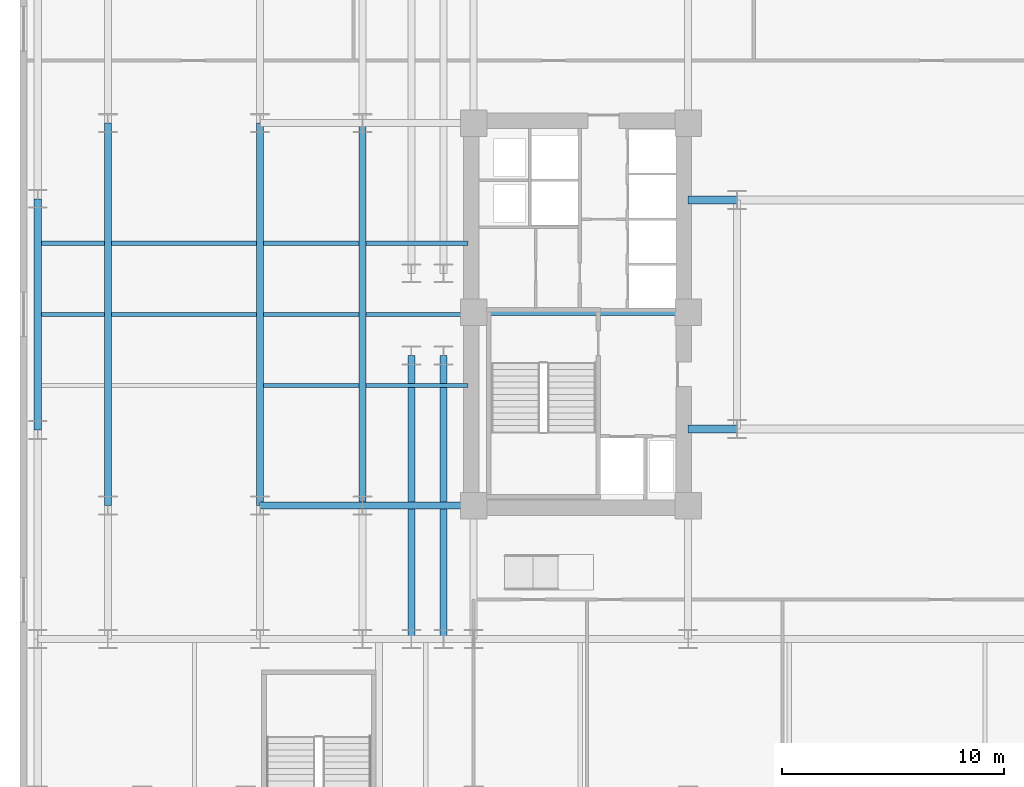
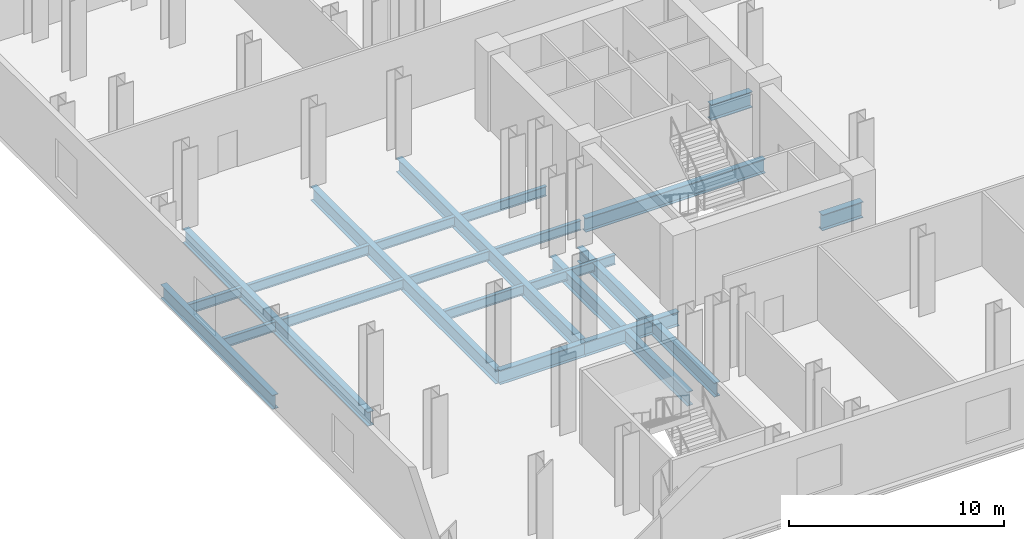
# One storey, part 2 of 13: 21 beams.
"""IFC4 building model written with IfcOpenShell, lengths in metres."""

import ifcopenshell
import ifcopenshell.guid

model = None  # the IFC model being written
_history = None  # IfcOwnerHistory: only IFC2X3 demands one
_inside = {}  # id of a spatial element -> (the spatial element, [elements in it])
_under = {}  # id of a project, library or spatial element -> (it, [spatial elements below it])
_declared = {}  # id of a project -> (the project, [libraries it declares])
_typed = {}  # id of a type object -> (the type object, [elements of that type])
_made_of = {}  # id of a material, layer set ... -> (it, [elements and type objects made of it])


def new_model(schema):
    """Start an empty IFC model of exactly this schema.

    Asked for "IFC4X3", IfcOpenShell would pick the latest addendum, in which some entities
    have other attributes; the version numbers below select the first issue.
    IFC2X3 requires an IfcOwnerHistory on every rooted entity: one is made here for all.
    """
    global model, _history
    if schema == "IFC4X3":
        model = ifcopenshell.file(schema_version=(4, 3, 0, 0))
    else:
        model = ifcopenshell.file(schema=schema)
    _inside.clear()
    _under.clear()
    _declared.clear()
    _typed.clear()
    _made_of.clear()
    _history = None
    if model.schema == "IFC2X3":
        org = make("IfcOrganization", Name="unknown")
        user = make(
            "IfcPersonAndOrganization",
            ThePerson=make("IfcPerson", FamilyName="unknown"),
            TheOrganization=org,
        )
        app = make(
            "IfcApplication",
            ApplicationDeveloper=org,
            Version="unknown",
            ApplicationFullName="unknown",
            ApplicationIdentifier="unknown",
        )
        _history = make(
            "IfcOwnerHistory",
            OwningUser=user,
            OwningApplication=app,
            ChangeAction="ADDED",
            CreationDate=0,
        )
    return model


def make(cls, **values):
    """One entity of the class cls with the attributes given. An attribute that is None is left unset."""
    return model.create_entity(
        cls, **{name: value for name, value in values.items() if value is not None}
    )


def rooted(cls, **values):
    """An entity with a GlobalId (a new one), such as an element, a storey or a relation."""
    return make(cls, GlobalId=ifcopenshell.guid.new(), OwnerHistory=_history, **values)


def si_unit(unit_type, name, prefix=None):
    """IfcSIUnit, for example si_unit("LENGTHUNIT", "METRE", prefix="MILLI")."""
    return make("IfcSIUnit", UnitType=unit_type, Prefix=prefix, Name=name)


def assignment(units):
    """IfcUnitAssignment: the units of a project."""
    return None if units is None else make("IfcUnitAssignment", Units=units)


def point(xyz):
    """IfcCartesianPoint."""
    return None if xyz is None else make("IfcCartesianPoint", Coordinates=xyz)


def direction(xyz):
    """IfcDirection."""
    return None if xyz is None else make("IfcDirection", DirectionRatios=xyz)


def frame(location, z_axis=None, x_axis=None):
    """IfcAxis2Placement3D, a coordinate frame: its origin and axes. An axis left out is left unset."""
    return make(
        "IfcAxis2Placement3D",
        Location=point(location),
        Axis=direction(z_axis),
        RefDirection=direction(x_axis),
    )


def frame_2d(location, x_axis=None):
    """IfcAxis2Placement2D, a coordinate frame in the plane: its origin and x axis."""
    return make(
        "IfcAxis2Placement2D", Location=point(location), RefDirection=direction(x_axis)
    )


def origin():
    """The frame at (0, 0, 0) with its axes left unset."""
    return frame((0.0, 0.0, 0.0))


def origin_2d():
    """The frame at (0, 0) in the plane with its x axis left unset."""
    return frame_2d((0.0, 0.0))


def place(relative_to, where):
    """IfcLocalPlacement: puts the frame where relative to a parent placement (None: the world)."""
    return make(
        "IfcLocalPlacement", PlacementRelTo=relative_to, RelativePlacement=where
    )


def context(
    kind, dimensions, precision=None, world=None, true_north=None, identifier=None
):
    """IfcGeometricRepresentationContext, for example the 3D "Model" context."""
    return make(
        "IfcGeometricRepresentationContext",
        ContextIdentifier=identifier,
        ContextType=kind,
        CoordinateSpaceDimension=dimensions,
        Precision=precision,
        WorldCoordinateSystem=world,
        TrueNorth=true_north,
    )


def subcontext(parent, identifier, kind, view, scale=None):
    """IfcGeometricRepresentationSubContext, for example "Body" below "Model"."""
    return make(
        "IfcGeometricRepresentationSubContext",
        ContextIdentifier=identifier,
        ContextType=kind,
        ParentContext=parent,
        TargetScale=scale,
        TargetView=view,
    )


def project(units=None, contexts=None):
    """IfcProject with its units and contexts."""
    return rooted(
        "IfcProject",
        Name="project",
        RepresentationContexts=contexts,
        UnitsInContext=assignment(units),
    )


def spatial(cls, under=None, at=None, **own):
    """A site, building, storey or space (cls), placed at a placement, below another one or the project."""
    s = rooted(cls, ObjectPlacement=at, **own)
    if under is not None:
        _under.setdefault(under.id(), (under, []))[1].append(s)
    return s


def profile(cls, at=None, kind="AREA", **sizes):
    """A parametric profile (cls). Its sizes go by their IFC names, for example OverallWidth=200.0."""
    return make(cls, ProfileType=kind, Position=at, **sizes)


def i_section(**sizes):
    """IfcIShapeProfileDef."""
    return profile("IfcIShapeProfileDef", **sizes)


def extrude(swept, where, along, depth):
    """IfcExtrudedAreaSolid: the profile swept, set in the frame where, extruded along a direction by depth."""
    return make(
        "IfcExtrudedAreaSolid",
        SweptArea=swept,
        Position=where,
        ExtrudedDirection=direction(along),
        Depth=depth,
    )


def shape(context_of_items, identifier, shape_type, items):
    """IfcShapeRepresentation: the items that make up one representation, for example the "Body"."""
    return make(
        "IfcShapeRepresentation",
        ContextOfItems=context_of_items,
        RepresentationIdentifier=identifier,
        RepresentationType=shape_type,
        Items=items,
    )


def material(Name=None, Category=None):
    """IfcMaterial."""
    return make("IfcMaterial", Name=Name, Category=Category)


def material_profile(
    of_material, cross_section, Name=None, Category=None, Priority=None
):
    """IfcMaterialProfile: a cross section and its material."""
    return make(
        "IfcMaterialProfile",
        Name=Name,
        Material=of_material,
        Profile=cross_section,
        Priority=Priority,
        Category=Category,
    )


def profile_set(profiles, Name=None, composite=None):
    """IfcMaterialProfileSet."""
    return make(
        "IfcMaterialProfileSet",
        Name=Name,
        MaterialProfiles=profiles,
        CompositeProfile=composite,
    )


def made_of(thing, what):
    """Note that an element or type object is made of a material, layer set ...; save() writes the relation."""
    if what is not None:
        _made_of.setdefault(what.id(), (what, []))[1].append(thing)
    return thing


def type_object(cls, material=None, **own):
    """A type object (cls), such as IfcWallType, which elements share."""
    return made_of(rooted(cls, **own), material)


def element(
    cls,
    number,
    at=None,
    inside=None,
    cuts=None,
    type_object=None,
    material=None,
    context=None,
    identifier="Body",
    shape_type=None,
    held_by="IfcProductDefinitionShape",
    body=None,
    shapes=None,
    **own,
):
    """One element of the class cls, such as IfcWall. Its Tag is "e" and its number.

    at: its placement. inside: the storey or other place that contains it. cuts: it is an
    opening in that element (IfcRelVoidsElement). A single representation is given by context,
    identifier, shape_type and body (its items); several are given by shapes. held_by: the class
    of the entity that holds the representations. save() writes the other relations.
    """
    e = rooted(cls, Tag="e%d" % number, ObjectPlacement=at, **own)
    if body is not None:
        shapes = [shape(context, identifier, shape_type, body)]
    if shapes is not None:
        e.Representation = make(held_by, Representations=shapes)
    if inside is not None:
        _inside.setdefault(inside.id(), (inside, []))[1].append(e)
    if cuts is not None:
        rooted(
            "IfcRelVoidsElement", RelatingBuildingElement=cuts, RelatedOpeningElement=e
        )
    if type_object is not None:
        _typed.setdefault(type_object.id(), (type_object, []))[1].append(e)
    return made_of(e, material)


def aggregate(whole, parts):
    """IfcRelAggregates: a whole, such as a stair, and the parts it consists of."""
    return rooted("IfcRelAggregates", RelatingObject=whole, RelatedObjects=parts)


def save(model, path):
    """Write the relations noted so far, then the file.

    IfcRelAggregates (storeys below a building ...), IfcRelContainedInSpatialStructure (elements
    in a storey), IfcRelDefinesByType, IfcRelAssociatesMaterial and IfcRelDeclares: one each for
    every whole, place, type object, material and project.
    """
    for whole, parts in _under.values():
        aggregate(whole, parts)
    for where, things in _inside.values():
        rooted(
            "IfcRelContainedInSpatialStructure",
            RelatedElements=things,
            RelatingStructure=where,
        )
    for kind, things in _typed.values():
        rooted("IfcRelDefinesByType", RelatedObjects=things, RelatingType=kind)
    for what, things in _made_of.values():
        rooted("IfcRelAssociatesMaterial", RelatedObjects=things, RelatingMaterial=what)
    for by, libraries in _declared.values():
        rooted("IfcRelDeclares", RelatingContext=by, RelatedDefinitions=libraries)
    model.write(path)


model = new_model("IFC4")

# Units and contexts
model_context = context("Model", 3, precision=1e-05, world=origin(), true_north=direction((0.0, 1.0)))
body_context = subcontext(model_context, "Body", "Model", "MODEL_VIEW")
ifc_project = project(units=[si_unit("LENGTHUNIT", "METRE"), si_unit("AREAUNIT", "SQUARE_METRE"), si_unit("VOLUMEUNIT", "CUBIC_METRE"), si_unit("PLANEANGLEUNIT", "RADIAN"), si_unit("MASSUNIT", "GRAM", prefix="KILO")], contexts=[model_context])

# Site, building, storey
site_placement = place(None, origin())
site = spatial("IfcSite", under=ifc_project, at=site_placement, CompositionType="ELEMENT")
building_placement = place(site_placement, origin())
building = spatial("IfcBuilding", under=site, at=building_placement, Name="Velakula Bourse", CompositionType="ELEMENT")
storey_placement = place(building_placement, frame((0.0, 0.0, 5.10009765625)))
storey = spatial("IfcBuildingStorey", under=building, at=storey_placement, Name="L01", CompositionType="ELEMENT", Elevation=5.10009765625)

# Beams
ifc_material = material(Name="Steel IS 2062 Grade 350 (E350)", Category="steel")
ifc_material_profile_1 = material_profile(ifc_material, i_section(OverallWidth=0.35009765625, OverallDepth=0.89990234375, WebThickness=0.02001953125, FlangeThickness=0.031982421875, at=origin_2d()), Name="Steel IS 2062 Grade 350 (E350)")
ifc_profile_set_1 = profile_set([ifc_material_profile_1], Name="Steel IS 2062 Grade 350 (E350)")
beam_type_1 = type_object("IfcBeamType", Name="BM-LNK-900", PredefinedType="BEAM", material=ifc_profile_set_1)
for number, where, z_axis, x_axis, name in (
    (1, (-8.949951171875, -5.14990234375, -0.7001953125), (1.0, 0.0, 0.0), (0.0, 1.0, 0.0), "L01 Primary Backbone Girder LNK-S1"),
    (2, (-8.949951171875, 5.14990234375, -0.7001953125), (1.0, 0.0, 0.0), (0.0, 1.0, 0.0), "L01 Primary Backbone Girder LNK-N1"),
):
    element("IfcBeam", number, at=place(storey_placement, frame(where, z_axis=z_axis, x_axis=x_axis)), inside=storey, type_object=beam_type_1, Name=name, PredefinedType="BEAM", context=body_context, shape_type="SweptSolid", body=[
        extrude(i_section(OverallWidth=0.35009765625, OverallDepth=0.89990234375, WebThickness=0.02001953125, FlangeThickness=0.031982421875, at=origin_2d()), origin(), (0.0, 0.0, 1.0), 2.199951171875),
    ])
ifc_material_profile_2 = material_profile(ifc_material, i_section(OverallWidth=0.320068359375, OverallDepth=0.800048828125, WebThickness=0.01806640625, FlangeThickness=0.028076171875, at=origin_2d()), Name="Steel IS 2062 Grade 350 (E350)")
ifc_profile_set_2 = profile_set([ifc_material_profile_2], Name="Steel IS 2062 Grade 350 (E350)")
beam_type_2 = type_object("IfcBeamType", Name="BM-POD-800", PredefinedType="BEAM", material=ifc_profile_set_2)
beam_1_placement = place(storey_placement, frame((-18.60009765625, 0.10009765625, -0.650146484375), z_axis=(1.0, 0.0, 0.0), x_axis=(0.0, 1.0, 0.0)))
element("IfcBeam", 3, at=beam_1_placement, inside=storey, type_object=beam_type_2, Name="L01 Primary Backbone Girder CRW-M", PredefinedType="BEAM", context=body_context, shape_type="SweptSolid", body=[
    extrude(i_section(OverallWidth=0.320068359375, OverallDepth=0.800048828125, WebThickness=0.01806640625, FlangeThickness=0.028076171875, at=origin_2d()), origin(), (0.0, 0.0, 1.0), 9.650146484375),
])
for number, where, z_axis, x_axis, name in (
    (4, (-21.39990234375, -14.60009765625, -0.650146484375), (0.0, 1.0, 0.0), (-1.0, 0.0, 0.0), "L01 Fulcrum Grid Girder FLC-PSW1"),
    (5, (-19.949951171875, -14.60009765625, -0.650146484375), (0.0, 1.0, 0.0), (-1.0, 0.0, 0.0), "L01 Fulcrum Grid Girder FLC-PSW2"),
):
    element("IfcBeam", number, at=place(storey_placement, frame(where, z_axis=z_axis, x_axis=x_axis)), inside=storey, type_object=beam_type_2, Name=name, PredefinedType="BEAM", context=body_context, shape_type="SweptSolid", body=[
        extrude(i_section(OverallWidth=0.320068359375, OverallDepth=0.800048828125, WebThickness=0.01806640625, FlangeThickness=0.028076171875, at=origin_2d()), origin(), (0.0, 0.0, 1.0), 12.75),
    ])
beam_2_placement = place(storey_placement, frame((-23.60009765625, -8.60009765625, -0.650146484375), z_axis=(1.0, 0.0, 0.0), x_axis=(0.0, 1.0, 0.0)))
element("IfcBeam", 6, at=beam_2_placement, inside=storey, type_object=beam_type_2, Name="L01 Fulcrum Grid Girder MWG-WS2", PredefinedType="BEAM", context=body_context, shape_type="SweptSolid", body=[
    extrude(i_section(OverallWidth=0.320068359375, OverallDepth=0.800048828125, WebThickness=0.01806640625, FlangeThickness=0.028076171875, at=origin_2d()), origin(), (0.0, 0.0, 1.0), 5.0),
])
beam_3_placement = place(storey_placement, frame((-23.60009765625, -8.60009765625, -0.650146484375), z_axis=(0.0, 1.0, 0.0), x_axis=(-1.0, 0.0, 0.0)))
element("IfcBeam", 7, at=beam_3_placement, inside=storey, type_object=beam_type_2, Name="L01 Fulcrum Grid Girder MWG-WNS2", PredefinedType="BEAM", context=body_context, shape_type="SweptSolid", body=[
    extrude(i_section(OverallWidth=0.320068359375, OverallDepth=0.800048828125, WebThickness=0.01806640625, FlangeThickness=0.028076171875, at=origin_2d()), origin(), (0.0, 0.0, 1.0), 17.2001953125),
])
beam_4_placement = place(storey_placement, frame((-28.199951171875, -8.60009765625, -0.650146484375), z_axis=(1.0, 0.0, 0.0), x_axis=(0.0, 1.0, 0.0)))
element("IfcBeam", 8, at=beam_4_placement, inside=storey, type_object=beam_type_2, Name="L01 Fulcrum Grid Girder WNG-WS2", PredefinedType="BEAM", context=body_context, shape_type="SweptSolid", body=[
    extrude(i_section(OverallWidth=0.320068359375, OverallDepth=0.800048828125, WebThickness=0.01806640625, FlangeThickness=0.028076171875, at=origin_2d()), origin(), (0.0, 0.0, 1.0), 4.599853515625),
])
beam_5_placement = place(storey_placement, frame((-28.199951171875, -8.60009765625, -0.650146484375), z_axis=(0.0, 1.0, 0.0), x_axis=(-1.0, 0.0, 0.0)))
element("IfcBeam", 9, at=beam_5_placement, inside=storey, type_object=beam_type_2, Name="L01 Fulcrum Grid Girder WNG-WNS2", PredefinedType="BEAM", context=body_context, shape_type="SweptSolid", body=[
    extrude(i_section(OverallWidth=0.320068359375, OverallDepth=0.800048828125, WebThickness=0.01806640625, FlangeThickness=0.028076171875, at=origin_2d()), origin(), (0.0, 0.0, 1.0), 17.2001953125),
])
beam_6_placement = place(storey_placement, frame((-38.199951171875, -5.199951171875, -0.650146484375), z_axis=(0.0, 1.0, 0.0), x_axis=(-1.0, 0.0, 0.0)))
element("IfcBeam", 10, at=beam_6_placement, inside=storey, type_object=beam_type_2, Name="L01 Podium N-S Girder 68", PredefinedType="BEAM", context=body_context, shape_type="SweptSolid", body=[
    extrude(i_section(OverallWidth=0.320068359375, OverallDepth=0.800048828125, WebThickness=0.01806640625, FlangeThickness=0.028076171875, at=origin_2d()), origin(), (0.0, 0.0, 1.0), 10.39990234375),
])
beam_7_placement = place(storey_placement, frame((-35.050048828125, -8.60009765625, -0.650146484375), z_axis=(0.0, 1.0, 0.0), x_axis=(-1.0, 0.0, 0.0)))
element("IfcBeam", 11, at=beam_7_placement, inside=storey, type_object=beam_type_2, Name="L01 Podium N-S Girder 73", PredefinedType="BEAM", context=body_context, shape_type="SweptSolid", body=[
    extrude(i_section(OverallWidth=0.320068359375, OverallDepth=0.800048828125, WebThickness=0.01806640625, FlangeThickness=0.028076171875, at=origin_2d()), origin(), (0.0, 0.0, 1.0), 17.2001953125),
])
ifc_material_profile_3 = material_profile(ifc_material, i_section(OverallWidth=0.18994140625, OverallDepth=0.550048828125, WebThickness=0.01123046875, FlangeThickness=0.019287109375, at=origin_2d()), Name="Steel IS 2062 Grade 350 (E350)")
ifc_profile_set_3 = profile_set([ifc_material_profile_3], Name="Steel IS 2062 Grade 350 (E350)")
beam_type_3 = type_object("IfcBeamType", Name="JST-POD-550", PredefinedType="JOIST", material=ifc_profile_set_3)
beam_8_placement = place(storey_placement, frame((-28.0400390625, -3.199951171875, -0.525146484375), z_axis=(1.0, 0.0, 0.0), x_axis=(0.0, 1.0, 0.0)))
element("IfcBeam", 12, at=beam_8_placement, inside=storey, type_object=beam_type_3, Name="L01 Station Wing Floor Joist 35", PredefinedType="JOIST", context=body_context, shape_type="SweptSolid", body=[
    extrude(i_section(OverallWidth=0.18994140625, OverallDepth=0.550048828125, WebThickness=0.01123046875, FlangeThickness=0.019287109375, at=origin_2d()), origin(), (0.0, 0.0, 1.0), 4.280029296875),
])
beam_9_placement = place(storey_placement, frame((-23.43994140625, -3.199951171875, -0.525146484375), z_axis=(1.0, 0.0, 0.0), x_axis=(0.0, 1.0, 0.0)))
element("IfcBeam", 13, at=beam_9_placement, inside=storey, type_object=beam_type_3, Name="L01 Station Wing Floor Joist 36", PredefinedType="JOIST", context=body_context, shape_type="SweptSolid", body=[
    extrude(i_section(OverallWidth=0.18994140625, OverallDepth=0.550048828125, WebThickness=0.01123046875, FlangeThickness=0.019287109375, at=origin_2d()), origin(), (0.0, 0.0, 1.0), 4.58984375),
])
beam_10_placement = place(storey_placement, frame((-38.0400390625, 0.0, -0.525146484375), z_axis=(1.0, 0.0, 0.0), x_axis=(0.0, 1.0, 0.0)))
element("IfcBeam", 14, at=beam_10_placement, inside=storey, type_object=beam_type_3, Name="L01 Station Wing Floor Joist 41", PredefinedType="JOIST", context=body_context, shape_type="SweptSolid", body=[
    extrude(i_section(OverallWidth=0.18994140625, OverallDepth=0.550048828125, WebThickness=0.01123046875, FlangeThickness=0.019287109375, at=origin_2d()), origin(), (0.0, 0.0, 1.0), 2.830078125),
])
beam_11_placement = place(storey_placement, frame((-34.889892578125, 0.0, -0.525146484375), z_axis=(1.0, 0.0, 0.0), x_axis=(0.0, 1.0, 0.0)))
element("IfcBeam", 15, at=beam_11_placement, inside=storey, type_object=beam_type_3, Name="L01 Station Wing Floor Joist 42", PredefinedType="JOIST", context=body_context, shape_type="SweptSolid", body=[
    extrude(i_section(OverallWidth=0.18994140625, OverallDepth=0.550048828125, WebThickness=0.01123046875, FlangeThickness=0.019287109375, at=origin_2d()), origin(), (0.0, 0.0, 1.0), 6.52978515625),
])
beam_12_placement = place(storey_placement, frame((-28.0400390625, 0.0, -0.525146484375), z_axis=(1.0, 0.0, 0.0), x_axis=(0.0, 1.0, 0.0)))
element("IfcBeam", 16, at=beam_12_placement, inside=storey, type_object=beam_type_3, Name="L01 Station Wing Floor Joist 43", PredefinedType="JOIST", context=body_context, shape_type="SweptSolid", body=[
    extrude(i_section(OverallWidth=0.18994140625, OverallDepth=0.550048828125, WebThickness=0.01123046875, FlangeThickness=0.019287109375, at=origin_2d()), origin(), (0.0, 0.0, 1.0), 4.280029296875),
])
beam_13_placement = place(storey_placement, frame((-23.43994140625, 0.0, -0.525146484375), z_axis=(1.0, 0.0, 0.0), x_axis=(0.0, 1.0, 0.0)))
element("IfcBeam", 17, at=beam_13_placement, inside=storey, type_object=beam_type_3, Name="L01 Station Wing Floor Joist 44", PredefinedType="JOIST", context=body_context, shape_type="SweptSolid", body=[
    extrude(i_section(OverallWidth=0.18994140625, OverallDepth=0.550048828125, WebThickness=0.01123046875, FlangeThickness=0.019287109375, at=origin_2d()), origin(), (0.0, 0.0, 1.0), 4.58984375),
])
beam_14_placement = place(storey_placement, frame((-38.0400390625, 3.199951171875, -0.525146484375), z_axis=(1.0, 0.0, 0.0), x_axis=(0.0, 1.0, 0.0)))
element("IfcBeam", 18, at=beam_14_placement, inside=storey, type_object=beam_type_3, Name="L01 Station Wing Floor Joist 49", PredefinedType="JOIST", context=body_context, shape_type="SweptSolid", body=[
    extrude(i_section(OverallWidth=0.18994140625, OverallDepth=0.550048828125, WebThickness=0.01123046875, FlangeThickness=0.019287109375, at=origin_2d()), origin(), (0.0, 0.0, 1.0), 2.830078125),
])
beam_15_placement = place(storey_placement, frame((-34.889892578125, 3.199951171875, -0.525146484375), z_axis=(1.0, 0.0, 0.0), x_axis=(0.0, 1.0, 0.0)))
element("IfcBeam", 19, at=beam_15_placement, inside=storey, type_object=beam_type_3, Name="L01 Station Wing Floor Joist 50", PredefinedType="JOIST", context=body_context, shape_type="SweptSolid", body=[
    extrude(i_section(OverallWidth=0.18994140625, OverallDepth=0.550048828125, WebThickness=0.01123046875, FlangeThickness=0.019287109375, at=origin_2d()), origin(), (0.0, 0.0, 1.0), 6.52978515625),
])
beam_16_placement = place(storey_placement, frame((-28.0400390625, 3.199951171875, -0.525146484375), z_axis=(1.0, 0.0, 0.0), x_axis=(0.0, 1.0, 0.0)))
element("IfcBeam", 20, at=beam_16_placement, inside=storey, type_object=beam_type_3, Name="L01 Station Wing Floor Joist 51", PredefinedType="JOIST", context=body_context, shape_type="SweptSolid", body=[
    extrude(i_section(OverallWidth=0.18994140625, OverallDepth=0.550048828125, WebThickness=0.01123046875, FlangeThickness=0.019287109375, at=origin_2d()), origin(), (0.0, 0.0, 1.0), 4.280029296875),
])
beam_17_placement = place(storey_placement, frame((-23.43994140625, 3.199951171875, -0.525146484375), z_axis=(1.0, 0.0, 0.0), x_axis=(0.0, 1.0, 0.0)))
element("IfcBeam", 21, at=beam_17_placement, inside=storey, type_object=beam_type_3, Name="L01 Station Wing Floor Joist 52", PredefinedType="JOIST", context=body_context, shape_type="SweptSolid", body=[
    extrude(i_section(OverallWidth=0.18994140625, OverallDepth=0.550048828125, WebThickness=0.01123046875, FlangeThickness=0.019287109375, at=origin_2d()), origin(), (0.0, 0.0, 1.0), 4.58984375),
])

save(model, "model.ifc")
